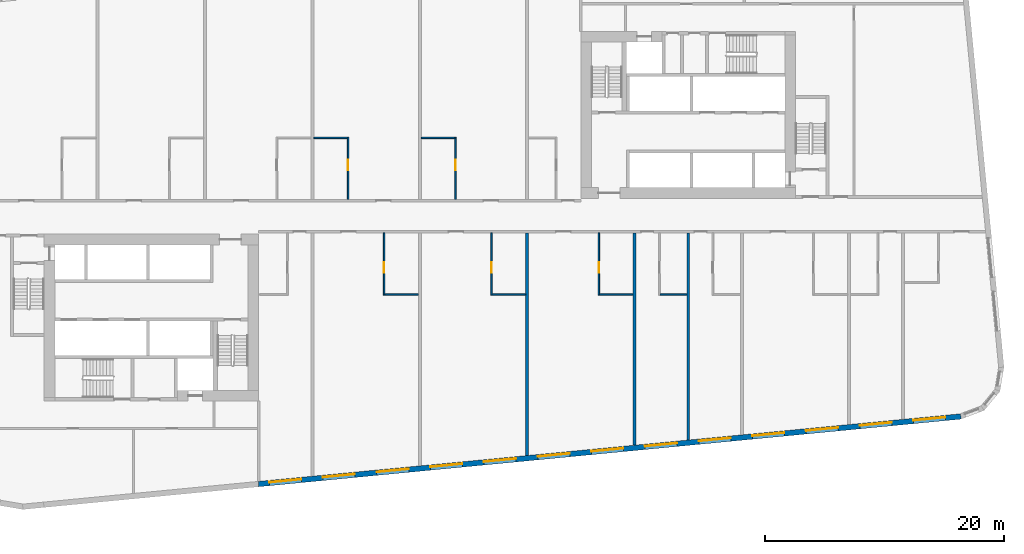
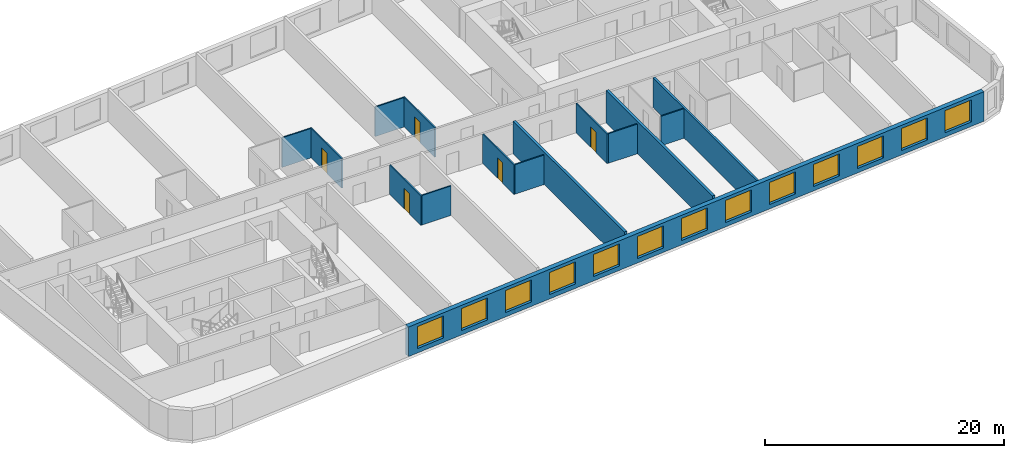
# One storey, part 4 of 12: 15 walls, 13 windows, 5 doors, 18 openings.
"""IFC4 building model written with IfcOpenShell, lengths in metres."""

from ifc_helpers import new_model, si_unit, direction, frame, frame_2d, origin, place, context, subcontext, project, spatial, rectangle, extrude, material, layer, layer_set, type_object, element, fill, save


model = new_model("IFC4")

# Units and contexts
model_context = context("Model", 3, precision=1e-05, world=origin(), true_north=direction((0.0, 1.0)))
body_context = subcontext(model_context, "Body", "Model", "MODEL_VIEW")
ifc_project = project(units=[si_unit("LENGTHUNIT", "METRE"), si_unit("AREAUNIT", "SQUARE_METRE"), si_unit("VOLUMEUNIT", "CUBIC_METRE"), si_unit("PLANEANGLEUNIT", "RADIAN"), si_unit("MASSUNIT", "GRAM", prefix="KILO")], contexts=[model_context])

# Site, building, storey
site_placement = place(None, origin())
site = spatial("IfcSite", under=ifc_project, at=site_placement, CompositionType="ELEMENT")
building_placement = place(site_placement, origin())
building = spatial("IfcBuilding", under=site, at=building_placement, Name="Kajstack Hotel Tower", CompositionType="ELEMENT")
storey_placement = place(building_placement, frame((0.0, 0.0, 143.800048828125)))
storey = spatial("IfcBuildingStorey", under=building, at=storey_placement, Name="L33", CompositionType="ELEMENT", Elevation=143.800048828125)

# Wall
ifc_material_1 = material(Name="Twin-frame gypsum board on steel studs, mineral wool", Category="steel")
ifc_layer_1 = layer(ifc_material_1, 0.199951171875)
ifc_layer_set_1 = layer_set([ifc_layer_1], Name="Demising wall 200")
wall_type_1 = type_object("IfcWallType", Name="Demising wall 200", PredefinedType="PARTITIONING", material=ifc_layer_set_1)
wall_1_placement = place(storey_placement, frame((22.5, -18.76611328125, 0.0), z_axis=(0.0, 0.0, 1.0), x_axis=(0.0, 1.0, 0.0)))
element("IfcWall", 1, at=wall_1_placement, inside=storey, type_object=wall_type_1, Name="G-wall-L33-027", PredefinedType="PARTITIONING", context=body_context, shape_type="SweptSolid", body=[
    extrude(rectangle(XDim=17.3662109375, YDim=0.199951171875, at=frame_2d((8.68310546875, 0.0))), origin(), (0.0, 0.0, 1.0), 3.02001953125),
])

# Wall, openings, windows
ifc_material_2 = material(Name="Terracotta-faced brick masonry", Category="masonry")
ifc_layer_2 = layer(ifc_material_2, 0.449951171875)
ifc_layer_set_2 = layer_set([ifc_layer_2], Name="EW-TERRA")
wall_type_2 = type_object("IfcWallType", Name="EW-TERRA", PredefinedType="SOLIDWALL", material=ifc_layer_set_2)
wall_2_placement = place(storey_placement, frame((-13.521484375, -22.46044921875, 0.0), z_axis=(0.0, 0.0, 1.0), x_axis=(0.995396096335, 0.095846812164, 0.0)))
wall_2 = element("IfcWall", 2, at=wall_2_placement, inside=storey, type_object=wall_type_2, Name="E-wall-L33-04-02", PredefinedType="SOLIDWALL", context=body_context, shape_type="SweptSolid", body=[
    extrude(rectangle(XDim=59.15087890625, YDim=0.449951171875, at=frame_2d((29.575439453125, 0.0))), origin(), (0.0, 0.0, 1.0), 3.02001953125),
])
opening_1_placement = place(wall_2_placement, frame((0.910400390625, 0.0, 0.449951171875)))
opening_1 = element("IfcOpeningElement", 3, at=opening_1_placement, cuts=wall_2, Name="Opening W1", PredefinedType="OPENING", context=body_context, shape_type="SweptSolid", body=[
    extrude(rectangle(XDim=2.699951171875, YDim=2.25, at=frame_2d((1.35009765625, 1.125))), frame((0.0, 0.23486328125, 0.0), z_axis=(0.0, -1.0, 0.0), x_axis=(1.0, 0.0, 0.0)), (0.0, 0.0, 1.0), 0.469970703125),
])
opening_2_placement = place(wall_2_placement, frame((5.43115234375, 0.0, 0.449951171875)))
opening_2 = element("IfcOpeningElement", 4, at=opening_2_placement, cuts=wall_2, Name="Opening W1", PredefinedType="OPENING", context=body_context, shape_type="SweptSolid", body=[
    extrude(rectangle(XDim=2.699951171875, YDim=2.25, at=frame_2d((1.35009765625, 1.125))), frame((0.0, 0.23486328125, 0.0), z_axis=(0.0, -1.0, 0.0), x_axis=(1.0, 0.0, 0.0)), (0.0, 0.0, 1.0), 0.469970703125),
])
opening_3_placement = place(wall_2_placement, frame((9.951904296875, 0.0, 0.449951171875)))
opening_3 = element("IfcOpeningElement", 5, at=opening_3_placement, cuts=wall_2, Name="Opening W1", PredefinedType="OPENING", context=body_context, shape_type="SweptSolid", body=[
    extrude(rectangle(XDim=2.699951171875, YDim=2.25, at=frame_2d((1.35009765625, 1.125))), frame((0.0, 0.23486328125, 0.0), z_axis=(0.0, -1.0, 0.0), x_axis=(1.0, 0.0, 0.0)), (0.0, 0.0, 1.0), 0.469970703125),
])
opening_4_placement = place(wall_2_placement, frame((14.472900390625, 0.0, 0.449951171875)))
opening_4 = element("IfcOpeningElement", 6, at=opening_4_placement, cuts=wall_2, Name="Opening W1", PredefinedType="OPENING", context=body_context, shape_type="SweptSolid", body=[
    extrude(rectangle(XDim=2.699951171875, YDim=2.25, at=frame_2d((1.35009765625, 1.125))), frame((0.0, 0.23486328125, 0.0), z_axis=(0.0, -1.0, 0.0), x_axis=(1.0, 0.0, 0.0)), (0.0, 0.0, 1.0), 0.469970703125),
])
opening_5_placement = place(wall_2_placement, frame((18.99365234375, 0.0, 0.449951171875)))
opening_5 = element("IfcOpeningElement", 7, at=opening_5_placement, cuts=wall_2, Name="Opening W1", PredefinedType="OPENING", context=body_context, shape_type="SweptSolid", body=[
    extrude(rectangle(XDim=2.699951171875, YDim=2.25, at=frame_2d((1.35009765625, 1.125))), frame((0.0, 0.23486328125, 0.0), z_axis=(0.0, -1.0, 0.0), x_axis=(1.0, 0.0, 0.0)), (0.0, 0.0, 1.0), 0.469970703125),
])
opening_6_placement = place(wall_2_placement, frame((23.514404296875, 0.0, 0.449951171875)))
opening_6 = element("IfcOpeningElement", 8, at=opening_6_placement, cuts=wall_2, Name="Opening W1", PredefinedType="OPENING", context=body_context, shape_type="SweptSolid", body=[
    extrude(rectangle(XDim=2.699951171875, YDim=2.25, at=frame_2d((1.35009765625, 1.125))), frame((0.0, 0.23486328125, 0.0), z_axis=(0.0, -1.0, 0.0), x_axis=(1.0, 0.0, 0.0)), (0.0, 0.0, 1.0), 0.469970703125),
])
opening_7_placement = place(wall_2_placement, frame((28.035400390625, 0.0, 0.449951171875)))
opening_7 = element("IfcOpeningElement", 9, at=opening_7_placement, cuts=wall_2, Name="Opening W1", PredefinedType="OPENING", context=body_context, shape_type="SweptSolid", body=[
    extrude(rectangle(XDim=2.699951171875, YDim=2.25, at=frame_2d((1.35009765625, 1.125))), frame((0.0, 0.23486328125, 0.0), z_axis=(0.0, -1.0, 0.0), x_axis=(1.0, 0.0, 0.0)), (0.0, 0.0, 1.0), 0.469970703125),
])
opening_8_placement = place(wall_2_placement, frame((32.55615234375, 0.0, 0.449951171875)))
opening_8 = element("IfcOpeningElement", 10, at=opening_8_placement, cuts=wall_2, Name="Opening W1", PredefinedType="OPENING", context=body_context, shape_type="SweptSolid", body=[
    extrude(rectangle(XDim=2.699951171875, YDim=2.25, at=frame_2d((1.35009765625, 1.125))), frame((0.0, 0.23486328125, 0.0), z_axis=(0.0, -1.0, 0.0), x_axis=(1.0, 0.0, 0.0)), (0.0, 0.0, 1.0), 0.469970703125),
])
opening_9_placement = place(wall_2_placement, frame((37.076904296875, 0.0, 0.449951171875)))
opening_9 = element("IfcOpeningElement", 11, at=opening_9_placement, cuts=wall_2, Name="Opening W1", PredefinedType="OPENING", context=body_context, shape_type="SweptSolid", body=[
    extrude(rectangle(XDim=2.699951171875, YDim=2.25, at=frame_2d((1.35009765625, 1.125))), frame((0.0, 0.23486328125, 0.0), z_axis=(0.0, -1.0, 0.0), x_axis=(1.0, 0.0, 0.0)), (0.0, 0.0, 1.0), 0.469970703125),
])
opening_10_placement = place(wall_2_placement, frame((41.59765625, 0.0, 0.449951171875)))
opening_10 = element("IfcOpeningElement", 12, at=opening_10_placement, cuts=wall_2, Name="Opening W1", PredefinedType="OPENING", context=body_context, shape_type="SweptSolid", body=[
    extrude(rectangle(XDim=2.699951171875, YDim=2.25, at=frame_2d((1.35009765625, 1.125))), frame((0.0, 0.23486328125, 0.0), z_axis=(0.0, -1.0, 0.0), x_axis=(1.0, 0.0, 0.0)), (0.0, 0.0, 1.0), 0.469970703125),
])
opening_11_placement = place(wall_2_placement, frame((46.118408203125, 0.0, 0.449951171875)))
opening_11 = element("IfcOpeningElement", 13, at=opening_11_placement, cuts=wall_2, Name="Opening W1", PredefinedType="OPENING", context=body_context, shape_type="SweptSolid", body=[
    extrude(rectangle(XDim=2.699951171875, YDim=2.25, at=frame_2d((1.35009765625, 1.125))), frame((0.0, 0.23486328125, 0.0), z_axis=(0.0, -1.0, 0.0), x_axis=(1.0, 0.0, 0.0)), (0.0, 0.0, 1.0), 0.469970703125),
])
opening_12_placement = place(wall_2_placement, frame((50.639404296875, 0.0, 0.449951171875)))
opening_12 = element("IfcOpeningElement", 14, at=opening_12_placement, cuts=wall_2, Name="Opening W1", PredefinedType="OPENING", context=body_context, shape_type="SweptSolid", body=[
    extrude(rectangle(XDim=2.699951171875, YDim=2.25, at=frame_2d((1.35009765625, 1.125))), frame((0.0, 0.23486328125, 0.0), z_axis=(0.0, -1.0, 0.0), x_axis=(1.0, 0.0, 0.0)), (0.0, 0.0, 1.0), 0.469970703125),
])
opening_13_placement = place(wall_2_placement, frame((55.149658203125, 0.0, 0.449951171875)))
opening_13 = element("IfcOpeningElement", 15, at=opening_13_placement, cuts=wall_2, Name="Opening W1", PredefinedType="OPENING", context=body_context, shape_type="SweptSolid", body=[
    extrude(rectangle(XDim=2.699951171875, YDim=2.25, at=frame_2d((1.35009765625, 1.125))), frame((0.0, 0.23486328125, 0.0), z_axis=(0.0, -1.0, 0.0), x_axis=(1.0, 0.0, 0.0)), (0.0, 0.0, 1.0), 0.469970703125),
])
ifc_material_3 = material(Name="Timber-aluminium window, triple glazed", Category="wood")
window_type = type_object("IfcWindowType", Name="WG1", PartitioningType="SINGLE_PANEL", PredefinedType="WINDOW", material=ifc_material_3)
window_1_placement = place(opening_1_placement, origin())
window_1 = element("IfcWindow", 16, at=window_1_placement, inside=storey, type_object=window_type, Name="Window W1 L33-04", OverallHeight=2.25, OverallWidth=2.699951171875, PartitioningType="SINGLE_PANEL", PredefinedType="WINDOW", context=body_context, shape_type="SweptSolid", body=[
    extrude(rectangle(XDim=2.699951171875, YDim=2.25, at=frame_2d((1.35009765625, 1.125))), frame((0.0, 0.090087890625, 0.0), z_axis=(0.0, -1.0, 0.0), x_axis=(1.0, 0.0, 0.0)), (0.0, 0.0, 1.0), 0.06005859375),
])
fill(opening_1, window_1)
window_2_placement = place(opening_2_placement, origin())
window_2 = element("IfcWindow", 17, at=window_2_placement, inside=storey, type_object=window_type, Name="Window W1 L33-04", OverallHeight=2.25, OverallWidth=2.699951171875, PartitioningType="SINGLE_PANEL", PredefinedType="WINDOW", context=body_context, shape_type="SweptSolid", body=[
    extrude(rectangle(XDim=2.699951171875, YDim=2.25, at=frame_2d((1.35009765625, 1.125))), frame((0.0, 0.090087890625, 0.0), z_axis=(0.0, -1.0, 0.0), x_axis=(1.0, 0.0, 0.0)), (0.0, 0.0, 1.0), 0.06005859375),
])
fill(opening_2, window_2)
window_3_placement = place(opening_3_placement, origin())
window_3 = element("IfcWindow", 18, at=window_3_placement, inside=storey, type_object=window_type, Name="Window W1 L33-04", OverallHeight=2.25, OverallWidth=2.699951171875, PartitioningType="SINGLE_PANEL", PredefinedType="WINDOW", context=body_context, shape_type="SweptSolid", body=[
    extrude(rectangle(XDim=2.699951171875, YDim=2.25, at=frame_2d((1.35009765625, 1.125))), frame((0.0, 0.090087890625, 0.0), z_axis=(0.0, -1.0, 0.0), x_axis=(1.0, 0.0, 0.0)), (0.0, 0.0, 1.0), 0.06005859375),
])
fill(opening_3, window_3)
window_4_placement = place(opening_4_placement, origin())
window_4 = element("IfcWindow", 19, at=window_4_placement, inside=storey, type_object=window_type, Name="Window W1 L33-04", OverallHeight=2.25, OverallWidth=2.699951171875, PartitioningType="SINGLE_PANEL", PredefinedType="WINDOW", context=body_context, shape_type="SweptSolid", body=[
    extrude(rectangle(XDim=2.699951171875, YDim=2.25, at=frame_2d((1.35009765625, 1.125))), frame((0.0, 0.090087890625, 0.0), z_axis=(0.0, -1.0, 0.0), x_axis=(1.0, 0.0, 0.0)), (0.0, 0.0, 1.0), 0.06005859375),
])
fill(opening_4, window_4)
window_5_placement = place(opening_5_placement, origin())
window_5 = element("IfcWindow", 20, at=window_5_placement, inside=storey, type_object=window_type, Name="Window W1 L33-04", OverallHeight=2.25, OverallWidth=2.699951171875, PartitioningType="SINGLE_PANEL", PredefinedType="WINDOW", context=body_context, shape_type="SweptSolid", body=[
    extrude(rectangle(XDim=2.699951171875, YDim=2.25, at=frame_2d((1.35009765625, 1.125))), frame((0.0, 0.090087890625, 0.0), z_axis=(0.0, -1.0, 0.0), x_axis=(1.0, 0.0, 0.0)), (0.0, 0.0, 1.0), 0.06005859375),
])
fill(opening_5, window_5)
window_6_placement = place(opening_6_placement, origin())
window_6 = element("IfcWindow", 21, at=window_6_placement, inside=storey, type_object=window_type, Name="Window W1 L33-04", OverallHeight=2.25, OverallWidth=2.699951171875, PartitioningType="SINGLE_PANEL", PredefinedType="WINDOW", context=body_context, shape_type="SweptSolid", body=[
    extrude(rectangle(XDim=2.699951171875, YDim=2.25, at=frame_2d((1.35009765625, 1.125))), frame((0.0, 0.090087890625, 0.0), z_axis=(0.0, -1.0, 0.0), x_axis=(1.0, 0.0, 0.0)), (0.0, 0.0, 1.0), 0.06005859375),
])
fill(opening_6, window_6)
window_7_placement = place(opening_7_placement, origin())
window_7 = element("IfcWindow", 22, at=window_7_placement, inside=storey, type_object=window_type, Name="Window W1 L33-04", OverallHeight=2.25, OverallWidth=2.699951171875, PartitioningType="SINGLE_PANEL", PredefinedType="WINDOW", context=body_context, shape_type="SweptSolid", body=[
    extrude(rectangle(XDim=2.699951171875, YDim=2.25, at=frame_2d((1.35009765625, 1.125))), frame((0.0, 0.090087890625, 0.0), z_axis=(0.0, -1.0, 0.0), x_axis=(1.0, 0.0, 0.0)), (0.0, 0.0, 1.0), 0.06005859375),
])
fill(opening_7, window_7)
window_8_placement = place(opening_8_placement, origin())
window_8 = element("IfcWindow", 23, at=window_8_placement, inside=storey, type_object=window_type, Name="Window W1 L33-04", OverallHeight=2.25, OverallWidth=2.699951171875, PartitioningType="SINGLE_PANEL", PredefinedType="WINDOW", context=body_context, shape_type="SweptSolid", body=[
    extrude(rectangle(XDim=2.699951171875, YDim=2.25, at=frame_2d((1.35009765625, 1.125))), frame((0.0, 0.090087890625, 0.0), z_axis=(0.0, -1.0, 0.0), x_axis=(1.0, 0.0, 0.0)), (0.0, 0.0, 1.0), 0.06005859375),
])
fill(opening_8, window_8)
window_9_placement = place(opening_9_placement, origin())
window_9 = element("IfcWindow", 24, at=window_9_placement, inside=storey, type_object=window_type, Name="Window W1 L33-04", OverallHeight=2.25, OverallWidth=2.699951171875, PartitioningType="SINGLE_PANEL", PredefinedType="WINDOW", context=body_context, shape_type="SweptSolid", body=[
    extrude(rectangle(XDim=2.699951171875, YDim=2.25, at=frame_2d((1.35009765625, 1.125))), frame((0.0, 0.090087890625, 0.0), z_axis=(0.0, -1.0, 0.0), x_axis=(1.0, 0.0, 0.0)), (0.0, 0.0, 1.0), 0.06005859375),
])
fill(opening_9, window_9)
window_10_placement = place(opening_10_placement, origin())
window_10 = element("IfcWindow", 25, at=window_10_placement, inside=storey, type_object=window_type, Name="Window W1 L33-04", OverallHeight=2.25, OverallWidth=2.699951171875, PartitioningType="SINGLE_PANEL", PredefinedType="WINDOW", context=body_context, shape_type="SweptSolid", body=[
    extrude(rectangle(XDim=2.699951171875, YDim=2.25, at=frame_2d((1.35009765625, 1.125))), frame((0.0, 0.090087890625, 0.0), z_axis=(0.0, -1.0, 0.0), x_axis=(1.0, 0.0, 0.0)), (0.0, 0.0, 1.0), 0.06005859375),
])
fill(opening_10, window_10)
window_11_placement = place(opening_11_placement, origin())
window_11 = element("IfcWindow", 26, at=window_11_placement, inside=storey, type_object=window_type, Name="Window W1 L33-04", OverallHeight=2.25, OverallWidth=2.699951171875, PartitioningType="SINGLE_PANEL", PredefinedType="WINDOW", context=body_context, shape_type="SweptSolid", body=[
    extrude(rectangle(XDim=2.699951171875, YDim=2.25, at=frame_2d((1.35009765625, 1.125))), frame((0.0, 0.090087890625, 0.0), z_axis=(0.0, -1.0, 0.0), x_axis=(1.0, 0.0, 0.0)), (0.0, 0.0, 1.0), 0.06005859375),
])
fill(opening_11, window_11)
window_12_placement = place(opening_12_placement, origin())
window_12 = element("IfcWindow", 27, at=window_12_placement, inside=storey, type_object=window_type, Name="Window W1 L33-04", OverallHeight=2.25, OverallWidth=2.699951171875, PartitioningType="SINGLE_PANEL", PredefinedType="WINDOW", context=body_context, shape_type="SweptSolid", body=[
    extrude(rectangle(XDim=2.699951171875, YDim=2.25, at=frame_2d((1.35009765625, 1.125))), frame((0.0, 0.090087890625, 0.0), z_axis=(0.0, -1.0, 0.0), x_axis=(1.0, 0.0, 0.0)), (0.0, 0.0, 1.0), 0.06005859375),
])
fill(opening_12, window_12)
window_13_placement = place(opening_13_placement, origin())
window_13 = element("IfcWindow", 28, at=window_13_placement, inside=storey, type_object=window_type, Name="Window W1 L33-04", OverallHeight=2.25, OverallWidth=2.699951171875, PartitioningType="SINGLE_PANEL", PredefinedType="WINDOW", context=body_context, shape_type="SweptSolid", body=[
    extrude(rectangle(XDim=2.699951171875, YDim=2.25, at=frame_2d((1.35009765625, 1.125))), frame((0.0, 0.090087890625, 0.0), z_axis=(0.0, -1.0, 0.0), x_axis=(1.0, 0.0, 0.0)), (0.0, 0.0, 1.0), 0.06005859375),
])
fill(opening_13, window_13)

# Wall, opening, door
ifc_material_4 = material(Name="Gypsum board and tiled backer on steel studs", Category="steel")
ifc_layer_3 = layer(ifc_material_4, 0.125)
ifc_layer_set_3 = layer_set([ifc_layer_3], Name="En-suite wall 125")
wall_type_3 = type_object("IfcWallType", Name="En-suite wall 125", PredefinedType="PARTITIONING", material=ifc_layer_set_3)
wall_3_placement = place(storey_placement, frame((-6.012939453125, 1.39990234375, 0.0), z_axis=(0.0, 0.0, 1.0), x_axis=(0.0, 1.0, 0.0)))
wall_3 = element("IfcWall", 29, at=wall_3_placement, inside=storey, type_object=wall_type_3, Name="G-wall-L33-012", PredefinedType="PARTITIONING", context=body_context, shape_type="SweptSolid", body=[
    extrude(rectangle(XDim=5.22509765625, YDim=0.125, at=frame_2d((2.612548828125, 0.0))), origin(), (0.0, 0.0, 1.0), 3.02001953125),
])
opening_14_placement = place(wall_3_placement, frame((2.449951171875, 0.0, 0.0)))
opening_14 = element("IfcOpeningElement", 30, at=opening_14_placement, cuts=wall_3, Name="Opening 33010", PredefinedType="OPENING", context=body_context, shape_type="SweptSolid", body=[
    extrude(rectangle(XDim=0.89990234375, YDim=2.10009765625, at=frame_2d((0.449951171875, 1.050048828125))), frame((0.0, 0.072509765625, 0.0), z_axis=(0.0, -1.0, 0.0), x_axis=(1.0, 0.0, 0.0)), (0.0, 0.0, 1.0), 0.14501953125),
])
ifc_material_5 = material(Name="Painted timber door leaf", Category="wood")
door_type = type_object("IfcDoorType", Name="Room door 900", OperationType="SINGLE_SWING_LEFT", PredefinedType="DOOR", material=ifc_material_5)
door_1_placement = place(opening_14_placement, origin())
door_1 = element("IfcDoor", 31, at=door_1_placement, inside=storey, type_object=door_type, Name="G-door-L33-10", OperationType="SINGLE_SWING_RIGHT", OverallHeight=2.10009765625, OverallWidth=0.89990234375, PredefinedType="DOOR", context=body_context, shape_type="SweptSolid", body=[
    extrude(rectangle(XDim=0.89990234375, YDim=2.10009765625, at=frame_2d((0.449951171875, 1.050048828125))), frame((0.0, 0.02490234375, 0.0), z_axis=(0.0, -1.0, 0.0), x_axis=(1.0, 0.0, 0.0)), (0.0, 0.0, 1.0), 0.050048828125),
])
fill(opening_14, door_1)

# Wall
wall_4_placement = place(storey_placement, frame((-8.875, 6.56201171875, 0.0), z_axis=(0.0, 0.0, 1.0), x_axis=(1.0, 0.0, 0.0)))
element("IfcWall", 32, at=wall_4_placement, inside=storey, type_object=wall_type_3, Name="G-wall-L33-013", PredefinedType="PARTITIONING", context=body_context, shape_type="SweptSolid", body=[
    extrude(rectangle(XDim=2.800048828125, YDim=0.125, at=frame_2d((1.39990234375, 0.0))), origin(), (0.0, 0.0, 1.0), 3.02001953125),
])

# Wall, opening, door
wall_5_placement = place(storey_placement, frame((2.987060546875, 1.39990234375, 0.0), z_axis=(0.0, 0.0, 1.0), x_axis=(0.0, 1.0, 0.0)))
wall_5 = element("IfcWall", 33, at=wall_5_placement, inside=storey, type_object=wall_type_3, Name="G-wall-L33-014", PredefinedType="PARTITIONING", context=body_context, shape_type="SweptSolid", body=[
    extrude(rectangle(XDim=5.22509765625, YDim=0.125, at=frame_2d((2.612548828125, 0.0))), origin(), (0.0, 0.0, 1.0), 3.02001953125),
])
opening_15_placement = place(wall_5_placement, frame((2.449951171875, 0.0, 0.0)))
opening_15 = element("IfcOpeningElement", 34, at=opening_15_placement, cuts=wall_5, Name="Opening 33012", PredefinedType="OPENING", context=body_context, shape_type="SweptSolid", body=[
    extrude(rectangle(XDim=0.89990234375, YDim=2.10009765625, at=frame_2d((0.449951171875, 1.050048828125))), frame((0.0, 0.072509765625, 0.0), z_axis=(0.0, -1.0, 0.0), x_axis=(1.0, 0.0, 0.0)), (0.0, 0.0, 1.0), 0.14501953125),
])
door_2_placement = place(opening_15_placement, origin())
door_2 = element("IfcDoor", 35, at=door_2_placement, inside=storey, type_object=door_type, Name="G-door-L33-12", OperationType="SINGLE_SWING_LEFT", OverallHeight=2.10009765625, OverallWidth=0.89990234375, PredefinedType="DOOR", context=body_context, shape_type="SweptSolid", body=[
    extrude(rectangle(XDim=0.89990234375, YDim=2.10009765625, at=frame_2d((0.449951171875, 1.050048828125))), frame((0.0, 0.02490234375, 0.0), z_axis=(0.0, -1.0, 0.0), x_axis=(1.0, 0.0, 0.0)), (0.0, 0.0, 1.0), 0.050048828125),
])
fill(opening_15, door_2)

# Wall
wall_6_placement = place(storey_placement, frame((0.125, 6.56201171875, 0.0), z_axis=(0.0, 0.0, 1.0), x_axis=(1.0, 0.0, 0.0)))
element("IfcWall", 36, at=wall_6_placement, inside=storey, type_object=wall_type_3, Name="G-wall-L33-015", PredefinedType="PARTITIONING", context=body_context, shape_type="SweptSolid", body=[
    extrude(rectangle(XDim=2.800048828125, YDim=0.125, at=frame_2d((1.39990234375, 0.0))), origin(), (0.0, 0.0, 1.0), 3.02001953125),
])

# Wall, opening, door
wall_7_placement = place(storey_placement, frame((-2.987060546875, -6.625, 0.0), z_axis=(0.0, 0.0, 1.0), x_axis=(0.0, 1.0, 0.0)))
wall_7 = element("IfcWall", 37, at=wall_7_placement, inside=storey, type_object=wall_type_3, Name="G-wall-L33-021", PredefinedType="PARTITIONING", context=body_context, shape_type="SweptSolid", body=[
    extrude(rectangle(XDim=5.22509765625, YDim=0.125, at=frame_2d((2.612548828125, 0.0))), origin(), (0.0, 0.0, 1.0), 3.02001953125),
])
opening_16_placement = place(wall_7_placement, frame((1.875, 0.0, 0.0)))
opening_16 = element("IfcOpeningElement", 38, at=opening_16_placement, cuts=wall_7, Name="Opening 33018", PredefinedType="OPENING", context=body_context, shape_type="SweptSolid", body=[
    extrude(rectangle(XDim=0.89990234375, YDim=2.10009765625, at=frame_2d((0.449951171875, 1.050048828125))), frame((0.0, 0.072509765625, 0.0), z_axis=(0.0, -1.0, 0.0), x_axis=(1.0, 0.0, 0.0)), (0.0, 0.0, 1.0), 0.14501953125),
])
door_3_placement = place(opening_16_placement, origin())
door_3 = element("IfcDoor", 39, at=door_3_placement, inside=storey, type_object=door_type, Name="G-door-L33-18", OperationType="SINGLE_SWING_LEFT", OverallHeight=2.10009765625, OverallWidth=0.89990234375, PredefinedType="DOOR", context=body_context, shape_type="SweptSolid", body=[
    extrude(rectangle(XDim=0.89990234375, YDim=2.10009765625, at=frame_2d((0.449951171875, 1.050048828125))), frame((0.0, 0.02490234375, 0.0), z_axis=(0.0, -1.0, 0.0), x_axis=(1.0, 0.0, 0.0)), (0.0, 0.0, 1.0), 0.050048828125),
])
fill(opening_16, door_3)

# Wall
wall_8_placement = place(storey_placement, frame((-2.925048828125, -6.56201171875, 0.0), z_axis=(0.0, 0.0, 1.0), x_axis=(1.0, 0.0, 0.0)))
element("IfcWall", 40, at=wall_8_placement, inside=storey, type_object=wall_type_3, Name="G-wall-L33-022", PredefinedType="PARTITIONING", context=body_context, shape_type="SweptSolid", body=[
    extrude(rectangle(XDim=2.800048828125, YDim=0.125, at=frame_2d((1.39990234375, 0.0))), origin(), (0.0, 0.0, 1.0), 3.02001953125),
])

# Wall, opening, door
wall_9_placement = place(storey_placement, frame((6.012939453125, -6.625, 0.0), z_axis=(0.0, 0.0, 1.0), x_axis=(0.0, 1.0, 0.0)))
wall_9 = element("IfcWall", 41, at=wall_9_placement, inside=storey, type_object=wall_type_3, Name="G-wall-L33-023", PredefinedType="PARTITIONING", context=body_context, shape_type="SweptSolid", body=[
    extrude(rectangle(XDim=5.22509765625, YDim=0.125, at=frame_2d((2.612548828125, 0.0))), origin(), (0.0, 0.0, 1.0), 3.02001953125),
])
opening_17_placement = place(wall_9_placement, frame((1.875, 0.0, 0.0)))
opening_17 = element("IfcOpeningElement", 42, at=opening_17_placement, cuts=wall_9, Name="Opening 33020", PredefinedType="OPENING", context=body_context, shape_type="SweptSolid", body=[
    extrude(rectangle(XDim=0.89990234375, YDim=2.10009765625, at=frame_2d((0.449951171875, 1.050048828125))), frame((0.0, 0.072509765625, 0.0), z_axis=(0.0, -1.0, 0.0), x_axis=(1.0, 0.0, 0.0)), (0.0, 0.0, 1.0), 0.14501953125),
])
door_4_placement = place(opening_17_placement, origin())
door_4 = element("IfcDoor", 43, at=door_4_placement, inside=storey, type_object=door_type, Name="G-door-L33-20", OperationType="SINGLE_SWING_RIGHT", OverallHeight=2.10009765625, OverallWidth=0.89990234375, PredefinedType="DOOR", context=body_context, shape_type="SweptSolid", body=[
    extrude(rectangle(XDim=0.89990234375, YDim=2.10009765625, at=frame_2d((0.449951171875, 1.050048828125))), frame((0.0, 0.02490234375, 0.0), z_axis=(0.0, -1.0, 0.0), x_axis=(1.0, 0.0, 0.0)), (0.0, 0.0, 1.0), 0.050048828125),
])
fill(opening_17, door_4)

# Wall
wall_10_placement = place(storey_placement, frame((6.074951171875, -6.56201171875, 0.0), z_axis=(0.0, 0.0, 1.0), x_axis=(1.0, 0.0, 0.0)))
element("IfcWall", 44, at=wall_10_placement, inside=storey, type_object=wall_type_3, Name="G-wall-L33-024", PredefinedType="PARTITIONING", context=body_context, shape_type="SweptSolid", body=[
    extrude(rectangle(XDim=2.800048828125, YDim=0.125, at=frame_2d((1.39990234375, 0.0))), origin(), (0.0, 0.0, 1.0), 3.02001953125),
])

# Wall, opening, door
wall_11_placement = place(storey_placement, frame((15.011962890625, -6.625, 0.0), z_axis=(0.0, 0.0, 1.0), x_axis=(0.0, 1.0, 0.0)))
wall_11 = element("IfcWall", 45, at=wall_11_placement, inside=storey, type_object=wall_type_3, Name="G-wall-L33-025", PredefinedType="PARTITIONING", context=body_context, shape_type="SweptSolid", body=[
    extrude(rectangle(XDim=5.22509765625, YDim=0.125, at=frame_2d((2.612548828125, 0.0))), origin(), (0.0, 0.0, 1.0), 3.02001953125),
])
opening_18_placement = place(wall_11_placement, frame((1.875, 0.0, 0.0)))
opening_18 = element("IfcOpeningElement", 46, at=opening_18_placement, cuts=wall_11, Name="Opening 33022", PredefinedType="OPENING", context=body_context, shape_type="SweptSolid", body=[
    extrude(rectangle(XDim=0.89990234375, YDim=2.10009765625, at=frame_2d((0.449951171875, 1.050048828125))), frame((0.0, 0.072509765625, 0.0), z_axis=(0.0, -1.0, 0.0), x_axis=(1.0, 0.0, 0.0)), (0.0, 0.0, 1.0), 0.14501953125),
])
door_5_placement = place(opening_18_placement, origin())
door_5 = element("IfcDoor", 47, at=door_5_placement, inside=storey, type_object=door_type, Name="G-door-L33-22", OperationType="SINGLE_SWING_LEFT", OverallHeight=2.10009765625, OverallWidth=0.89990234375, PredefinedType="DOOR", context=body_context, shape_type="SweptSolid", body=[
    extrude(rectangle(XDim=0.89990234375, YDim=2.10009765625, at=frame_2d((0.449951171875, 1.050048828125))), frame((0.0, 0.02490234375, 0.0), z_axis=(0.0, -1.0, 0.0), x_axis=(1.0, 0.0, 0.0)), (0.0, 0.0, 1.0), 0.050048828125),
])
fill(opening_18, door_5)

# Walls
wall_12_placement = place(storey_placement, frame((15.074951171875, -6.56201171875, 0.0), z_axis=(0.0, 0.0, 1.0), x_axis=(1.0, 0.0, 0.0)))
element("IfcWall", 48, at=wall_12_placement, inside=storey, type_object=wall_type_3, Name="G-wall-L33-026", PredefinedType="PARTITIONING", context=body_context, shape_type="SweptSolid", body=[
    extrude(rectangle(XDim=2.800048828125, YDim=0.125, at=frame_2d((1.39990234375, 0.0))), origin(), (0.0, 0.0, 1.0), 3.02001953125),
])
wall_13_placement = place(storey_placement, frame((20.14990234375, -6.56201171875, 0.0), z_axis=(0.0, 0.0, 1.0), x_axis=(1.0, 0.0, 0.0)))
element("IfcWall", 49, at=wall_13_placement, inside=storey, type_object=wall_type_3, Name="G-wall-L33-029", PredefinedType="PARTITIONING", context=body_context, shape_type="SweptSolid", body=[
    extrude(rectangle(XDim=2.25, YDim=0.125, at=frame_2d((1.125, 0.0))), origin(), (0.0, 0.0, 1.0), 3.02001953125),
])
ifc_material_6 = material(Name="Concrete C55/67", Category="concrete")
ifc_layer_4 = layer(ifc_material_6, 0.25)
ifc_layer_set_4 = layer_set([ifc_layer_4], Name="RC cross wall 250 C55/67")
wall_type_4 = type_object("IfcWallType", Name="RC cross wall 250 C55/67", PredefinedType="SHEAR", material=ifc_layer_set_4)
wall_14_placement = place(storey_placement, frame((9.0, -20.043701171875, 0.0), z_axis=(0.0, 0.0, 1.0), x_axis=(0.0, 1.0, 0.0)))
element("IfcWall", 50, at=wall_14_placement, inside=storey, type_object=wall_type_4, Name="S-wall-L33-08", PredefinedType="SHEAR", context=body_context, shape_type="SweptSolid", body=[
    extrude(rectangle(XDim=18.643798828125, YDim=0.25, at=frame_2d((9.32177734375, 0.0))), origin(), (0.0, 0.0, 1.0), 3.300048828125),
])
wall_15_placement = place(storey_placement, frame((18.0, -19.17724609375, 0.0), z_axis=(0.0, 0.0, 1.0), x_axis=(0.0, 1.0, 0.0)))
element("IfcWall", 51, at=wall_15_placement, inside=storey, type_object=wall_type_4, Name="S-wall-L33-10", PredefinedType="SHEAR", context=body_context, shape_type="SweptSolid", body=[
    extrude(rectangle(XDim=17.77734375, YDim=0.25, at=frame_2d((8.888671875, 0.0))), origin(), (0.0, 0.0, 1.0), 3.300048828125),
])

save(model, "model.ifc")
